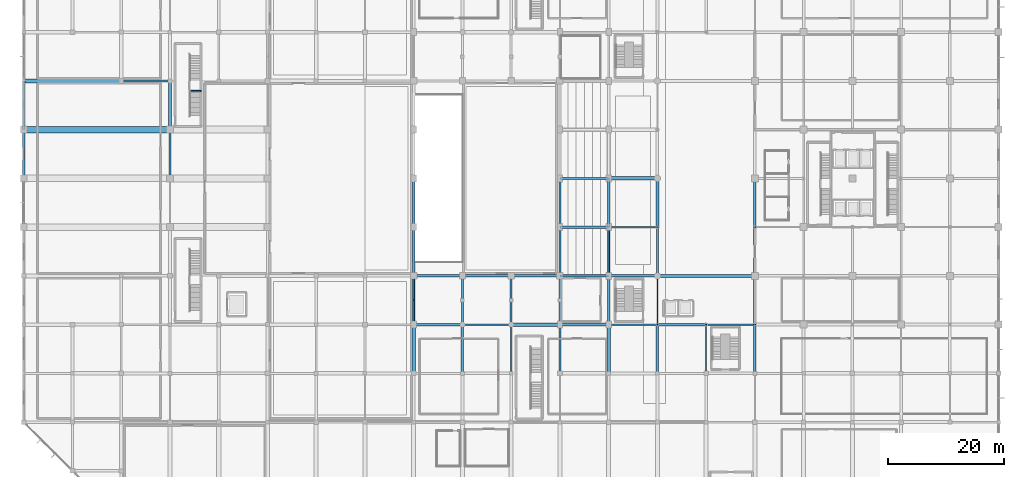
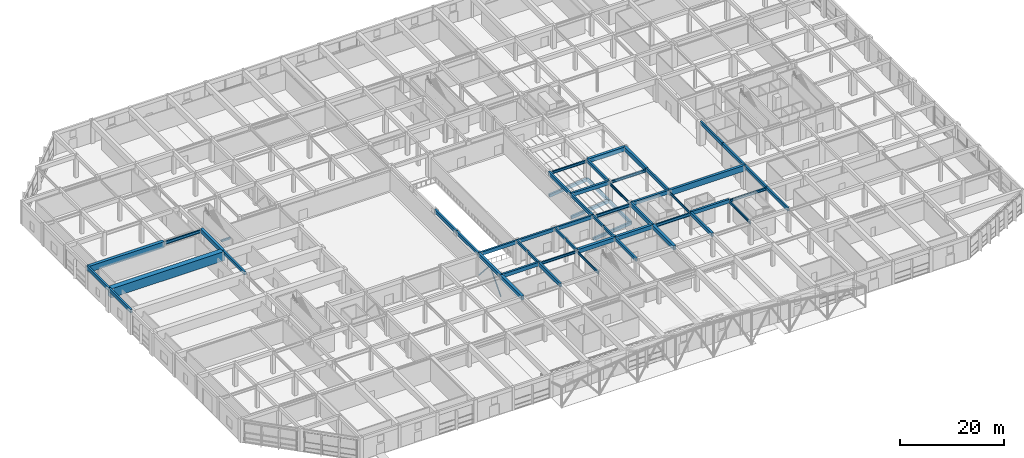
# One storey, part 17 of 62: 58 beams, 2 members.
"""IFC4 building model written with IfcOpenShell, lengths in metres."""

from ifc_helpers import new_model, si_unit, direction, frame, origin, origin_2d, place, context, subcontext, project, spatial, rectangle, hollow_rectangle, i_section, extrude, material, material_profile, profile_set, type_object, element, save


model = new_model("IFC4")

# Units and contexts
model_context = context("Model", 3, precision=1e-05, world=origin(), true_north=direction((0.0, 1.0)))
body_context = subcontext(model_context, "Body", "Model", "MODEL_VIEW")
ifc_project = project(units=[si_unit("LENGTHUNIT", "METRE"), si_unit("AREAUNIT", "SQUARE_METRE"), si_unit("VOLUMEUNIT", "CUBIC_METRE"), si_unit("PLANEANGLEUNIT", "RADIAN"), si_unit("MASSUNIT", "GRAM", prefix="KILO")], contexts=[model_context])

# Site, building, storey
site_placement = place(None, origin())
site = spatial("IfcSite", under=ifc_project, at=site_placement, CompositionType="ELEMENT")
building_placement = place(site_placement, origin())
building = spatial("IfcBuilding", under=site, at=building_placement, Name="Xuanlan Plaza Opera House", CompositionType="ELEMENT")
storey_placement = place(building_placement, origin())
storey = spatial("IfcBuildingStorey", under=building, at=storey_placement, Name="L00", CompositionType="ELEMENT", Elevation=0.0)

# Beams
ifc_material_1 = material(Name="Concrete C50", Category="concrete")
ifc_material_profile_1 = material_profile(ifc_material_1, rectangle(XDim=0.60009765625, YDim=0.949951171875, at=origin_2d()), Name="RC-BM 600x950")
ifc_profile_set_1 = profile_set([ifc_material_profile_1], Name="Concrete C50")
beam_type_1 = type_object("IfcBeamType", Name="STR-BM-B-01", PredefinedType="BEAM", material=ifc_profile_set_1)
for number, where, z_axis, x_axis, name in (
    (1, (84.0, 33.60009765625, 4.925048828125), (1.0, 0.0, 0.0), (0.0, 1.0, 0.0), "Grid Beam X L00 11-12/E"),
    (2, (100.800048828125, 58.800048828125, 4.925048828125), (1.0, 0.0, 0.0), (0.0, 1.0, 0.0), "Grid Beam X L00 13-14/H"),
):
    element("IfcBeam", number, at=place(storey_placement, frame(where, z_axis=z_axis, x_axis=x_axis)), inside=storey, type_object=beam_type_1, Name=name, PredefinedType="BEAM", context=body_context, shape_type="SweptSolid", body=[
        extrude(rectangle(XDim=0.60009765625, YDim=0.949951171875, at=origin_2d()), origin(), (0.0, 0.0, 1.0), 8.39990234375),
    ])
ifc_material_profile_2 = material_profile(ifc_material_1, rectangle(XDim=0.550048828125, YDim=0.949951171875, at=origin_2d()), Name="RC-BM 550x950")
ifc_profile_set_2 = profile_set([ifc_material_profile_2], Name="Concrete C50")
beam_type_2 = type_object("IfcBeamType", Name="STR-BM-B-02", PredefinedType="BEAM", material=ifc_profile_set_2)
for number, where, z_axis, x_axis, name in (
    (3, (92.39990234375, 33.60009765625, 4.925048828125), (1.0, 0.0, 0.0), (0.0, 1.0, 0.0), "Grid Beam X L00 12-13/E"),
    (4, (25.199951171875, 67.199951171875, 4.925048828125), (0.0, 1.0, 0.0), (-1.0, 0.0, 0.0), "Grid Beam Y L00 4/I-J"),
    (5, (67.199951171875, 25.199951171875, 4.925048828125), (0.0, 1.0, 0.0), (-1.0, 0.0, 0.0), "Grid Beam Y L00 9/D-E"),
    (6, (100.800048828125, 25.199951171875, 4.925048828125), (0.0, 1.0, 0.0), (-1.0, 0.0, 0.0), "Grid Beam Y L00 13/D-E"),
    (7, (109.199951171875, 50.39990234375, 4.925048828125), (0.0, 1.0, 0.0), (-1.0, 0.0, 0.0), "Grid Beam Y L00 14/G-H"),
):
    element("IfcBeam", number, at=place(storey_placement, frame(where, z_axis=z_axis, x_axis=x_axis)), inside=storey, type_object=beam_type_2, Name=name, PredefinedType="BEAM", context=body_context, shape_type="SweptSolid", body=[
        extrude(rectangle(XDim=0.550048828125, YDim=0.949951171875, at=origin_2d()), origin(), (0.0, 0.0, 1.0), 8.400146484375),
    ])
ifc_material_2 = material(Name="Concrete C40", Category="concrete")
ifc_material_profile_3 = material_profile(ifc_material_2, rectangle(XDim=0.449951171875, YDim=0.85009765625, at=origin_2d()), Name="RC-BM 450x850")
ifc_profile_set_3 = profile_set([ifc_material_profile_3], Name="Concrete C40")
beam_type_3 = type_object("IfcBeamType", Name="STR-BM-B-04", PredefinedType="BEAM", material=ifc_profile_set_3)
for number, where, z_axis, x_axis, name in (
    (8, (67.199951171875, 33.60009765625, 4.97509765625), (1.0, 0.0, 0.0), (0.0, 1.0, 0.0), "Grid Beam X L00 9-10/E"),
    (9, (109.199951171875, 33.60009765625, 4.97509765625), (1.0, 0.0, 0.0), (0.0, 1.0, 0.0), "Grid Beam X L00 14-15/E"),
):
    element("IfcBeam", number, at=place(storey_placement, frame(where, z_axis=z_axis, x_axis=x_axis)), inside=storey, type_object=beam_type_3, Name=name, PredefinedType="BEAM", context=body_context, shape_type="SweptSolid", body=[
        extrude(rectangle(XDim=0.449951171875, YDim=0.85009765625, at=origin_2d()), origin(), (0.0, 0.0, 1.0), 8.400146484375),
    ])
beam_1_placement = place(storey_placement, frame((100.800048828125, 42.0, 4.97509765625), z_axis=(1.0, 0.0, 0.0), x_axis=(0.0, 1.0, 0.0)))
element("IfcBeam", 10, at=beam_1_placement, inside=storey, type_object=beam_type_3, Name="Grid Beam X L00 13-14/F", PredefinedType="BEAM", context=body_context, shape_type="SweptSolid", body=[
    extrude(rectangle(XDim=0.449951171875, YDim=0.85009765625, at=origin_2d()), origin(), (0.0, 0.0, 1.0), 8.39990234375),
])
beam_2_placement = place(storey_placement, frame((92.39990234375, 50.39990234375, 4.97509765625), z_axis=(1.0, 0.0, 0.0), x_axis=(0.0, 1.0, 0.0)))
element("IfcBeam", 11, at=beam_2_placement, inside=storey, type_object=beam_type_3, Name="Grid Beam X L00 12-13/G", PredefinedType="BEAM", context=body_context, shape_type="SweptSolid", body=[
    extrude(rectangle(XDim=0.449951171875, YDim=0.85009765625, at=origin_2d()), origin(), (0.0, 0.0, 1.0), 8.400146484375),
])
beam_3_placement = place(storey_placement, frame((67.199951171875, 33.60009765625, 4.97509765625), z_axis=(0.0, 1.0, 0.0), x_axis=(-1.0, 0.0, 0.0)))
element("IfcBeam", 12, at=beam_3_placement, inside=storey, type_object=beam_type_3, Name="Grid Beam Y L00 9/E-F", PredefinedType="BEAM", context=body_context, shape_type="SweptSolid", body=[
    extrude(rectangle(XDim=0.449951171875, YDim=0.85009765625, at=origin_2d()), origin(), (0.0, 0.0, 1.0), 8.39990234375),
])
beam_4_placement = place(storey_placement, frame((75.60009765625, 25.199951171875, 4.97509765625), z_axis=(0.0, 1.0, 0.0), x_axis=(-1.0, 0.0, 0.0)))
element("IfcBeam", 13, at=beam_4_placement, inside=storey, type_object=beam_type_3, Name="Grid Beam Y L00 10/D-E", PredefinedType="BEAM", context=body_context, shape_type="SweptSolid", body=[
    extrude(rectangle(XDim=0.449951171875, YDim=0.85009765625, at=origin_2d()), origin(), (0.0, 0.0, 1.0), 8.400146484375),
])
beam_5_placement = place(storey_placement, frame((100.800048828125, 33.60009765625, 4.97509765625), z_axis=(0.0, 1.0, 0.0), x_axis=(-1.0, 0.0, 0.0)))
element("IfcBeam", 14, at=beam_5_placement, inside=storey, type_object=beam_type_3, Name="Grid Beam Y L00 13/E-F", PredefinedType="BEAM", context=body_context, shape_type="SweptSolid", body=[
    extrude(rectangle(XDim=0.449951171875, YDim=0.85009765625, at=origin_2d()), origin(), (0.0, 0.0, 1.0), 8.39990234375),
])
beam_6_placement = place(storey_placement, frame((109.199951171875, 25.199951171875, 4.97509765625), z_axis=(0.0, 1.0, 0.0), x_axis=(-1.0, 0.0, 0.0)))
element("IfcBeam", 15, at=beam_6_placement, inside=storey, type_object=beam_type_3, Name="Grid Beam Y L00 14/D-E", PredefinedType="BEAM", context=body_context, shape_type="SweptSolid", body=[
    extrude(rectangle(XDim=0.449951171875, YDim=0.85009765625, at=origin_2d()), origin(), (0.0, 0.0, 1.0), 8.400146484375),
])
ifc_material_profile_4 = material_profile(ifc_material_2, rectangle(XDim=0.39990234375, YDim=0.75, at=origin_2d()), Name="RC-BM 400x750")
ifc_profile_set_4 = profile_set([ifc_material_profile_4], Name="Concrete C40")
beam_type_4 = type_object("IfcBeamType", Name="STR-BM-B-06", PredefinedType="BEAM", material=ifc_profile_set_4)
beam_7_placement = place(storey_placement, frame((25.199951171875, 58.800048828125, 5.02490234375), z_axis=(0.0, 1.0, 0.0), x_axis=(-1.0, 0.0, 0.0)))
element("IfcBeam", 16, at=beam_7_placement, inside=storey, type_object=beam_type_4, Name="Grid Beam Y L00 4/H-I", PredefinedType="BEAM", context=body_context, shape_type="SweptSolid", body=[
    extrude(rectangle(XDim=0.39990234375, YDim=0.75, at=origin_2d()), origin(), (0.0, 0.0, 1.0), 8.39990234375),
])
for number, where, z_axis, x_axis, name in (
    (17, (92.39990234375, 25.199951171875, 5.02490234375), (0.0, 1.0, 0.0), (-1.0, 0.0, 0.0), "Grid Beam Y L00 12/D-E"),
    (18, (100.800048828125, 50.39990234375, 5.02490234375), (0.0, 1.0, 0.0), (-1.0, 0.0, 0.0), "Grid Beam Y L00 13/G-H"),
):
    element("IfcBeam", number, at=place(storey_placement, frame(where, z_axis=z_axis, x_axis=x_axis)), inside=storey, type_object=beam_type_4, Name=name, PredefinedType="BEAM", context=body_context, shape_type="SweptSolid", body=[
        extrude(rectangle(XDim=0.39990234375, YDim=0.75, at=origin_2d()), origin(), (0.0, 0.0, 1.0), 8.400146484375),
    ])
beam_8_placement = place(storey_placement, frame((109.199951171875, 42.0, 5.02490234375), z_axis=(0.0, 1.0, 0.0), x_axis=(-1.0, 0.0, 0.0)))
element("IfcBeam", 19, at=beam_8_placement, inside=storey, type_object=beam_type_4, Name="Grid Beam Y L00 14/F-G", PredefinedType="BEAM", context=body_context, shape_type="SweptSolid", body=[
    extrude(rectangle(XDim=0.39990234375, YDim=0.75, at=origin_2d()), origin(), (0.0, 0.0, 1.0), 8.39990234375),
])
beam_9_placement = place(storey_placement, frame((126.0, 25.199951171875, 5.02490234375), z_axis=(0.0, 1.0, 0.0), x_axis=(-1.0, 0.0, 0.0)))
element("IfcBeam", 20, at=beam_9_placement, inside=storey, type_object=beam_type_4, Name="Grid Beam Y L00 16/D-E", PredefinedType="BEAM", context=body_context, shape_type="SweptSolid", body=[
    extrude(rectangle(XDim=0.39990234375, YDim=0.75, at=origin_2d()), origin(), (0.0, 0.0, 1.0), 8.400146484375),
])
for number, where, z_axis, x_axis, name in (
    (21, (126.0, 33.60009765625, 5.02490234375), (0.0, 1.0, 0.0), (-1.0, 0.0, 0.0), "Grid Beam Y L00 16/E-F"),
    (22, (126.0, 42.0, 5.02490234375), (0.0, 1.0, 0.0), (-1.0, 0.0, 0.0), "Grid Beam Y L00 16/F-G"),
):
    element("IfcBeam", number, at=place(storey_placement, frame(where, z_axis=z_axis, x_axis=x_axis)), inside=storey, type_object=beam_type_4, Name=name, PredefinedType="BEAM", context=body_context, shape_type="SweptSolid", body=[
        extrude(rectangle(XDim=0.39990234375, YDim=0.75, at=origin_2d()), origin(), (0.0, 0.0, 1.0), 8.39990234375),
    ])
beam_10_placement = place(storey_placement, frame((126.0, 50.39990234375, 5.02490234375), z_axis=(0.0, 1.0, 0.0), x_axis=(-1.0, 0.0, 0.0)))
element("IfcBeam", 23, at=beam_10_placement, inside=storey, type_object=beam_type_4, Name="Grid Beam Y L00 16/G-H", PredefinedType="BEAM", context=body_context, shape_type="SweptSolid", body=[
    extrude(rectangle(XDim=0.39990234375, YDim=0.75, at=origin_2d()), origin(), (0.0, 0.0, 1.0), 8.400146484375),
])
ifc_material_profile_5 = material_profile(ifc_material_2, rectangle(XDim=0.35009765625, YDim=0.60009765625, at=origin_2d()), Name="RC-BM 350x600")
ifc_profile_set_5 = profile_set([ifc_material_profile_5], Name="Concrete C40")
beam_type_5 = type_object("IfcBeamType", Name="STR-BM-B-10", PredefinedType="BEAM", material=ifc_profile_set_5)
for number, where, z_axis, x_axis, name in (
    (24, (75.60009765625, 33.60009765625, 5.10009765625), (0.0, 1.0, 0.0), (-1.0, 0.0, 0.0), "Sub-Bay Beam Y L00 10/EA"),
    (25, (75.60009765625, 37.800048828125, 5.10009765625), (0.0, 1.0, 0.0), (-1.0, 0.0, 0.0), "Sub-Bay Beam Y L00 10/EB"),
    (26, (84.0, 33.60009765625, 5.10009765625), (0.0, 1.0, 0.0), (-1.0, 0.0, 0.0), "Sub-Bay Beam Y L00 11/EA"),
    (27, (84.0, 37.800048828125, 5.10009765625), (0.0, 1.0, 0.0), (-1.0, 0.0, 0.0), "Sub-Bay Beam Y L00 11/EB"),
    (28, (92.39990234375, 33.60009765625, 5.10009765625), (0.0, 1.0, 0.0), (-1.0, 0.0, 0.0), "Sub-Bay Beam Y L00 12/EA"),
    (29, (92.39990234375, 37.800048828125, 5.10009765625), (0.0, 1.0, 0.0), (-1.0, 0.0, 0.0), "Sub-Bay Beam Y L00 12/EB"),
):
    element("IfcBeam", number, at=place(storey_placement, frame(where, z_axis=z_axis, x_axis=x_axis)), inside=storey, type_object=beam_type_5, Name=name, PredefinedType="BEAM", context=body_context, shape_type="SweptSolid", body=[
        extrude(rectangle(XDim=0.35009765625, YDim=0.60009765625, at=origin_2d()), origin(), (0.0, 0.0, 1.0), 4.199951171875),
    ])
ifc_material_profile_6 = material_profile(ifc_material_1, rectangle(XDim=0.699951171875, YDim=1.39990234375, at=origin_2d()), Name="RC-LG 700x1400")
ifc_profile_set_6 = profile_set([ifc_material_profile_6], Name="Concrete C50")
beam_type_6 = type_object("IfcBeamType", Name="STR-BM-LG-01", PredefinedType="BEAM", material=ifc_profile_set_6)
beam_11_placement = place(storey_placement, frame((0.0, 75.60009765625, 4.699951171875), z_axis=(1.0, 0.0, 0.0), x_axis=(0.0, 1.0, 0.0)))
element("IfcBeam", 30, at=beam_11_placement, inside=storey, type_object=beam_type_6, Name="Grid Beam X L00 1-3/J", PredefinedType="BEAM", context=body_context, shape_type="SweptSolid", body=[
    extrude(rectangle(XDim=0.699951171875, YDim=1.39990234375, at=origin_2d()), origin(), (0.0, 0.0, 1.0), 16.800048828125),
])
ifc_material_3 = material(Name="Concrete C60", Category="concrete")
ifc_material_profile_7 = material_profile(ifc_material_3, rectangle(XDim=1.10009765625, YDim=2.14990234375, at=origin_2d()), Name="RC-TG 1100x2150")
ifc_profile_set_7 = profile_set([ifc_material_profile_7], Name="Concrete C60")
beam_type_7 = type_object("IfcBeamType", Name="STR-BM-LG-03", PredefinedType="BEAM", material=ifc_profile_set_7)
beam_12_placement = place(storey_placement, frame((0.0, 67.199951171875, 4.324951171875), z_axis=(1.0, 0.0, 0.0), x_axis=(0.0, 1.0, 0.0)))
element("IfcBeam", 31, at=beam_12_placement, inside=storey, type_object=beam_type_7, Name="Grid Beam X L00 1-4/I", PredefinedType="BEAM", context=body_context, shape_type="SweptSolid", body=[
    extrude(rectangle(XDim=1.10009765625, YDim=2.14990234375, at=origin_2d()), origin(), (0.0, 0.0, 1.0), 25.199951171875),
])
ifc_material_profile_8 = material_profile(ifc_material_1, rectangle(XDim=0.550048828125, YDim=1.35009765625, at=origin_2d()), Name="RC-SPD 550x1350")
ifc_profile_set_8 = profile_set([ifc_material_profile_8], Name="Concrete C50")
beam_type_8 = type_object("IfcBeamType", Name="STR-BM-LG-SP1", PredefinedType="SPANDREL", material=ifc_profile_set_8)
beam_13_placement = place(storey_placement, frame((109.199951171875, 42.0, 4.72509765625), z_axis=(1.0, 0.0, 0.0), x_axis=(0.0, 1.0, 0.0)))
element("IfcBeam", 32, at=beam_13_placement, inside=storey, type_object=beam_type_8, Name="Grid Beam X L00 14-16/F", PredefinedType="SPANDREL", context=body_context, shape_type="SweptSolid", body=[
    extrude(rectangle(XDim=0.550048828125, YDim=1.35009765625, at=origin_2d()), origin(), (0.0, 0.0, 1.0), 16.800048828125),
])
ifc_material_profile_9 = material_profile(ifc_material_2, rectangle(XDim=0.320068359375, YDim=0.419921875, at=origin_2d()), Name="RC-LNT 320x420")
ifc_profile_set_9 = profile_set([ifc_material_profile_9], Name="Concrete C40")
beam_type_9 = type_object("IfcBeamType", Name="STR-BM-LN-04", PredefinedType="LINTEL", material=ifc_profile_set_9)
beam_14_placement = place(storey_placement, frame((28.5, 73.875, 2.2900390625), z_axis=(1.0, 0.0, 0.0), x_axis=(0.0, 1.0, 0.0)))
element("IfcBeam", 33, at=beam_14_placement, inside=storey, type_object=beam_type_9, Name="Stair Mid-Landing Trimmer Beam ST-P2 L00", PredefinedType="LINTEL", context=body_context, shape_type="SweptSolid", body=[
    extrude(rectangle(XDim=0.320068359375, YDim=0.419921875, at=origin_2d()), origin(), (0.0, 0.0, 1.0), 2.050048828125),
])
ifc_material_profile_10 = material_profile(ifc_material_2, rectangle(XDim=0.39990234375, YDim=0.679931640625, at=origin_2d()), Name="RC-RKR 400x680")
ifc_profile_set_10 = profile_set([ifc_material_profile_10], Name="Concrete C40")
beam_type_10 = type_object("IfcBeamType", Name="STR-BM-RK-02", PredefinedType="BEAM", material=ifc_profile_set_10)
for number, where, z_axis, x_axis, name in (
    (34, (92.39990234375, 42.0, -0.340087890625), (0.994307513918, 0.0, 0.10654842921), (0.0, 1.0, 0.0), "Auditorium Tier Raker Beam L00 Y42"),
    (35, (92.39990234375, 50.39990234375, -0.340087890625), (0.994307513918, 0.0, 0.10654842921), (0.0, 1.0, 0.0), "Auditorium Tier Raker Beam L00 Y50"),
    (36, (92.39990234375, 58.800048828125, -0.340087890625), (0.994307513918, 0.0, 0.10654842921), (0.0, 1.0, 0.0), "Auditorium Tier Raker Beam L00 Y58"),
):
    element("IfcBeam", number, at=place(storey_placement, frame(where, z_axis=z_axis, x_axis=x_axis)), inside=storey, type_object=beam_type_10, Name=name, PredefinedType="BEAM", context=body_context, shape_type="SweptSolid", body=[
        extrude(rectangle(XDim=0.39990234375, YDim=0.679931640625, at=origin_2d()), origin(), (0.0, 0.0, 1.0), 8.4482421875),
    ])
ifc_material_profile_11 = material_profile(ifc_material_2, rectangle(XDim=0.39990234375, YDim=0.679931640625, at=origin_2d()), Name="RC-RKR 400x680")
ifc_profile_set_11 = profile_set([ifc_material_profile_11], Name="Concrete C40")
beam_type_11 = type_object("IfcBeamType", Name="STR-BM-RKH-01", PredefinedType="BEAM", material=ifc_profile_set_11)
beam_15_placement = place(storey_placement, frame((100.800048828125, 42.0, 0.56005859375), z_axis=(0.0, 1.0, 0.0), x_axis=(-1.0, 0.0, 0.0)))
element("IfcBeam", 37, at=beam_15_placement, inside=storey, type_object=beam_type_11, Name="Auditorium Tier Header Beam L00-1", PredefinedType="BEAM", context=body_context, shape_type="SweptSolid", body=[
    extrude(rectangle(XDim=0.39990234375, YDim=0.679931640625, at=origin_2d()), origin(), (0.0, 0.0, 1.0), 8.39990234375),
])
beam_16_placement = place(storey_placement, frame((100.800048828125, 50.39990234375, 0.56005859375), z_axis=(0.0, 1.0, 0.0), x_axis=(-1.0, 0.0, 0.0)))
element("IfcBeam", 38, at=beam_16_placement, inside=storey, type_object=beam_type_11, Name="Auditorium Tier Header Beam L00-2", PredefinedType="BEAM", context=body_context, shape_type="SweptSolid", body=[
    extrude(rectangle(XDim=0.39990234375, YDim=0.679931640625, at=origin_2d()), origin(), (0.0, 0.0, 1.0), 8.400146484375),
])
ifc_material_4 = material(Name="Steel Q355B", Category="steel")
ifc_material_profile_12 = material_profile(ifc_material_4, i_section(OverallWidth=0.300048828125, OverallDepth=0.699951171875, WebThickness=0.012939453125, FlangeThickness=0.02392578125, FilletRadius=0.02392578125, at=origin_2d()), Name="HN 700x300x13x24")
ifc_profile_set_12 = profile_set([ifc_material_profile_12], Name="Steel Q355B")
beam_type_12 = type_object("IfcBeamType", Name="STR-BM-SB-03", PredefinedType="BEAM", material=ifc_profile_set_12)
beam_17_placement = place(storey_placement, frame((100.800048828125, 33.60009765625, 4.784912109375), z_axis=(1.0, 0.0, 0.0), x_axis=(0.0, 1.0, 0.0)))
element("IfcBeam", 39, at=beam_17_placement, inside=storey, type_object=beam_type_12, Name="Grid Beam X L00 13-14/E", PredefinedType="BEAM", context=body_context, shape_type="SweptSolid", body=[
    extrude(i_section(OverallWidth=0.300048828125, OverallDepth=0.699951171875, WebThickness=0.012939453125, FlangeThickness=0.02392578125, FilletRadius=0.02392578125, at=origin_2d()), origin(), (0.0, 0.0, 1.0), 8.39990234375),
])
beam_18_placement = place(storey_placement, frame((92.39990234375, 42.0, 4.784912109375), z_axis=(1.0, 0.0, 0.0), x_axis=(0.0, 1.0, 0.0)))
element("IfcBeam", 40, at=beam_18_placement, inside=storey, type_object=beam_type_12, Name="Grid Beam X L00 12-13/F", PredefinedType="BEAM", context=body_context, shape_type="SweptSolid", body=[
    extrude(i_section(OverallWidth=0.300048828125, OverallDepth=0.699951171875, WebThickness=0.012939453125, FlangeThickness=0.02392578125, FilletRadius=0.02392578125, at=origin_2d()), origin(), (0.0, 0.0, 1.0), 8.400146484375),
])
beam_19_placement = place(storey_placement, frame((16.800048828125, 75.60009765625, 4.784912109375), z_axis=(1.0, 0.0, 0.0), x_axis=(0.0, 1.0, 0.0)))
element("IfcBeam", 41, at=beam_19_placement, inside=storey, type_object=beam_type_12, Name="Grid Beam X L00 3-4/J", PredefinedType="BEAM", context=body_context, shape_type="SweptSolid", body=[
    extrude(i_section(OverallWidth=0.300048828125, OverallDepth=0.699951171875, WebThickness=0.012939453125, FlangeThickness=0.02392578125, FilletRadius=0.02392578125, at=origin_2d()), origin(), (0.0, 0.0, 1.0), 8.39990234375),
])
ifc_material_profile_13 = material_profile(ifc_material_4, i_section(OverallWidth=0.199951171875, OverallDepth=0.60009765625, WebThickness=0.010986328125, FlangeThickness=0.01708984375, FilletRadius=0.02197265625, at=origin_2d()), Name="HN 600x200x11x17")
ifc_profile_set_13 = profile_set([ifc_material_profile_13], Name="Steel Q355B")
beam_type_13 = type_object("IfcBeamType", Name="STR-BM-SB-04", PredefinedType="BEAM", material=ifc_profile_set_13)
beam_20_placement = place(storey_placement, frame((84.0, 25.199951171875, 4.8349609375), z_axis=(0.0, 1.0, 0.0), x_axis=(-1.0, 0.0, 0.0)))
element("IfcBeam", 42, at=beam_20_placement, inside=storey, type_object=beam_type_13, Name="Grid Beam Y L00 11/D-E", PredefinedType="BEAM", context=body_context, shape_type="SweptSolid", body=[
    extrude(i_section(OverallWidth=0.199951171875, OverallDepth=0.60009765625, WebThickness=0.010986328125, FlangeThickness=0.01708984375, FilletRadius=0.02197265625, at=origin_2d()), origin(), (0.0, 0.0, 1.0), 8.400146484375),
])
for number, where, z_axis, x_axis, name in (
    (43, (100.800048828125, 42.0, 4.8349609375), (0.0, 1.0, 0.0), (-1.0, 0.0, 0.0), "Grid Beam Y L00 13/F-G"),
    (44, (109.199951171875, 33.60009765625, 4.8349609375), (0.0, 1.0, 0.0), (-1.0, 0.0, 0.0), "Grid Beam Y L00 14/E-F"),
):
    element("IfcBeam", number, at=place(storey_placement, frame(where, z_axis=z_axis, x_axis=x_axis)), inside=storey, type_object=beam_type_13, Name=name, PredefinedType="BEAM", context=body_context, shape_type="SweptSolid", body=[
        extrude(i_section(OverallWidth=0.199951171875, OverallDepth=0.60009765625, WebThickness=0.010986328125, FlangeThickness=0.01708984375, FilletRadius=0.02197265625, at=origin_2d()), origin(), (0.0, 0.0, 1.0), 8.39990234375),
    ])
beam_21_placement = place(storey_placement, frame((117.60009765625, 25.199951171875, 4.8349609375), z_axis=(0.0, 1.0, 0.0), x_axis=(-1.0, 0.0, 0.0)))
element("IfcBeam", 45, at=beam_21_placement, inside=storey, type_object=beam_type_13, Name="Grid Beam Y L00 15/D-E", PredefinedType="BEAM", context=body_context, shape_type="SweptSolid", body=[
    extrude(i_section(OverallWidth=0.199951171875, OverallDepth=0.60009765625, WebThickness=0.010986328125, FlangeThickness=0.01708984375, FilletRadius=0.02197265625, at=origin_2d()), origin(), (0.0, 0.0, 1.0), 8.400146484375),
])
ifc_material_profile_14 = material_profile(ifc_material_4, i_section(OverallWidth=0.300048828125, OverallDepth=0.587890625, WebThickness=0.011962890625, FlangeThickness=0.02001953125, FilletRadius=0.02392578125, at=origin_2d()), Name="HM 588x300x12x20")
ifc_profile_set_14 = profile_set([ifc_material_profile_14], Name="Steel Q355B")
beam_type_14 = type_object("IfcBeamType", Name="STR-BM-SB-06", PredefinedType="BEAM", material=ifc_profile_set_14)
for number, where, z_axis, x_axis, name in (
    (46, (75.60009765625, 33.60009765625, 4.841064453125), (1.0, 0.0, 0.0), (0.0, 1.0, 0.0), "Grid Beam X L00 10-11/E"),
    (47, (117.60009765625, 33.60009765625, 4.841064453125), (1.0, 0.0, 0.0), (0.0, 1.0, 0.0), "Grid Beam X L00 15-16/E"),
    (48, (100.800048828125, 50.39990234375, 4.841064453125), (1.0, 0.0, 0.0), (0.0, 1.0, 0.0), "Grid Beam X L00 13-14/G"),
):
    element("IfcBeam", number, at=place(storey_placement, frame(where, z_axis=z_axis, x_axis=x_axis)), inside=storey, type_object=beam_type_14, Name=name, PredefinedType="BEAM", context=body_context, shape_type="SweptSolid", body=[
        extrude(i_section(OverallWidth=0.300048828125, OverallDepth=0.587890625, WebThickness=0.011962890625, FlangeThickness=0.02001953125, FilletRadius=0.02392578125, at=origin_2d()), origin(), (0.0, 0.0, 1.0), 8.39990234375),
    ])
beam_22_placement = place(storey_placement, frame((92.39990234375, 58.800048828125, 4.841064453125), z_axis=(1.0, 0.0, 0.0), x_axis=(0.0, 1.0, 0.0)))
element("IfcBeam", 49, at=beam_22_placement, inside=storey, type_object=beam_type_14, Name="Grid Beam X L00 12-13/H", PredefinedType="BEAM", context=body_context, shape_type="SweptSolid", body=[
    extrude(i_section(OverallWidth=0.300048828125, OverallDepth=0.587890625, WebThickness=0.011962890625, FlangeThickness=0.02001953125, FilletRadius=0.02392578125, at=origin_2d()), origin(), (0.0, 0.0, 1.0), 8.400146484375),
])
ifc_material_profile_15 = material_profile(ifc_material_2, rectangle(XDim=0.39990234375, YDim=0.800048828125, at=origin_2d()), Name="RC-SPD 400x800")
ifc_profile_set_15 = profile_set([ifc_material_profile_15], Name="Concrete C40")
beam_type_15 = type_object("IfcBeamType", Name="STR-BM-SP-01", PredefinedType="SPANDREL", material=ifc_profile_set_15)
beam_23_placement = place(storey_placement, frame((67.199951171875, 42.0, 5.0), z_axis=(1.0, 0.0, 0.0), x_axis=(0.0, 1.0, 0.0)))
element("IfcBeam", 50, at=beam_23_placement, inside=storey, type_object=beam_type_15, Name="Grid Beam X L00 9-10/F", PredefinedType="SPANDREL", context=body_context, shape_type="SweptSolid", body=[
    extrude(rectangle(XDim=0.39990234375, YDim=0.800048828125, at=origin_2d()), origin(), (0.0, 0.0, 1.0), 8.400146484375),
])
for number, where, z_axis, x_axis, name in (
    (51, (75.60009765625, 42.0, 5.0), (1.0, 0.0, 0.0), (0.0, 1.0, 0.0), "Grid Beam X L00 10-11/F"),
    (52, (84.0, 42.0, 5.0), (1.0, 0.0, 0.0), (0.0, 1.0, 0.0), "Grid Beam X L00 11-12/F"),
    (53, (0.0, 58.800048828125, 5.0), (0.0, 1.0, 0.0), (-1.0, 0.0, 0.0), "Grid Beam Y L00 1/H-I"),
):
    element("IfcBeam", number, at=place(storey_placement, frame(where, z_axis=z_axis, x_axis=x_axis)), inside=storey, type_object=beam_type_15, Name=name, PredefinedType="SPANDREL", context=body_context, shape_type="SweptSolid", body=[
        extrude(rectangle(XDim=0.39990234375, YDim=0.800048828125, at=origin_2d()), origin(), (0.0, 0.0, 1.0), 8.39990234375),
    ])
beam_24_placement = place(storey_placement, frame((0.0, 67.199951171875, 5.0), z_axis=(0.0, 1.0, 0.0), x_axis=(-1.0, 0.0, 0.0)))
element("IfcBeam", 54, at=beam_24_placement, inside=storey, type_object=beam_type_15, Name="Grid Beam Y L00 1/I-J", PredefinedType="SPANDREL", context=body_context, shape_type="SweptSolid", body=[
    extrude(rectangle(XDim=0.39990234375, YDim=0.800048828125, at=origin_2d()), origin(), (0.0, 0.0, 1.0), 8.400146484375),
])
beam_25_placement = place(storey_placement, frame((67.199951171875, 42.0, 5.0), z_axis=(0.0, 1.0, 0.0), x_axis=(-1.0, 0.0, 0.0)))
element("IfcBeam", 55, at=beam_25_placement, inside=storey, type_object=beam_type_15, Name="Grid Beam Y L00 9/F-G", PredefinedType="SPANDREL", context=body_context, shape_type="SweptSolid", body=[
    extrude(rectangle(XDim=0.39990234375, YDim=0.800048828125, at=origin_2d()), origin(), (0.0, 0.0, 1.0), 8.39990234375),
])
beam_26_placement = place(storey_placement, frame((67.199951171875, 50.39990234375, 5.0), z_axis=(0.0, 1.0, 0.0), x_axis=(-1.0, 0.0, 0.0)))
element("IfcBeam", 56, at=beam_26_placement, inside=storey, type_object=beam_type_15, Name="Grid Beam Y L00 9/G-H", PredefinedType="SPANDREL", context=body_context, shape_type="SweptSolid", body=[
    extrude(rectangle(XDim=0.39990234375, YDim=0.800048828125, at=origin_2d()), origin(), (0.0, 0.0, 1.0), 8.400146484375),
])
beam_27_placement = place(storey_placement, frame((92.39990234375, 42.0, 5.0), z_axis=(0.0, 1.0, 0.0), x_axis=(-1.0, 0.0, 0.0)))
element("IfcBeam", 57, at=beam_27_placement, inside=storey, type_object=beam_type_15, Name="Grid Beam Y L00 12/F-G", PredefinedType="SPANDREL", context=body_context, shape_type="SweptSolid", body=[
    extrude(rectangle(XDim=0.39990234375, YDim=0.800048828125, at=origin_2d()), origin(), (0.0, 0.0, 1.0), 8.39990234375),
])
beam_28_placement = place(storey_placement, frame((92.39990234375, 50.39990234375, 5.0), z_axis=(0.0, 1.0, 0.0), x_axis=(-1.0, 0.0, 0.0)))
element("IfcBeam", 58, at=beam_28_placement, inside=storey, type_object=beam_type_15, Name="Grid Beam Y L00 12/G-H", PredefinedType="SPANDREL", context=body_context, shape_type="SweptSolid", body=[
    extrude(rectangle(XDim=0.39990234375, YDim=0.800048828125, at=origin_2d()), origin(), (0.0, 0.0, 1.0), 8.400146484375),
])

# Members
ifc_material_profile_16 = material_profile(ifc_material_4, hollow_rectangle(XDim=0.199951171875, YDim=0.199951171875, WallThickness=0.010009765625, at=origin_2d()), Name="SHS 200x200x10")
ifc_profile_set_16 = profile_set([ifc_material_profile_16], Name="Steel Q355B")
member_type = type_object("IfcMemberType", Name="STR-MEM-BR-07", PredefinedType="BRACE", material=ifc_profile_set_16)
for number, where, z_axis, x_axis, name in (
    (59, (67.199951171875, 33.60009765625, 0.10009765625), (0.0, 0.662399393998, 0.749150881219), (-1.0, 0.0, 0.0), "Stage Lateral Chevron Brace L00-2A"),
    (60, (67.199951171875, 42.0, 0.10009765625), (0.0, -0.662399393998, 0.749150881219), (1.0, 0.0, 0.0), "Stage Lateral Chevron Brace L00-2B"),
):
    element("IfcMember", number, at=place(storey_placement, frame(where, z_axis=z_axis, x_axis=x_axis)), inside=storey, type_object=member_type, Name=name, PredefinedType="BRACE", context=body_context, shape_type="SweptSolid", body=[
        extrude(hollow_rectangle(XDim=0.199951171875, YDim=0.199951171875, WallThickness=0.010009765625, at=origin_2d()), origin(), (0.0, 0.0, 1.0), 6.340576171875),
    ])

save(model, "model.ifc")
